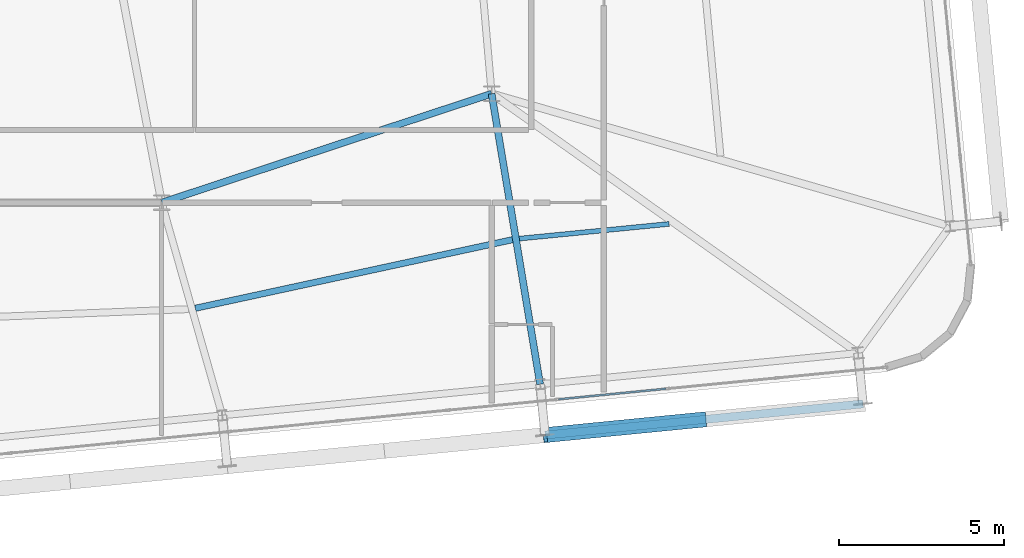
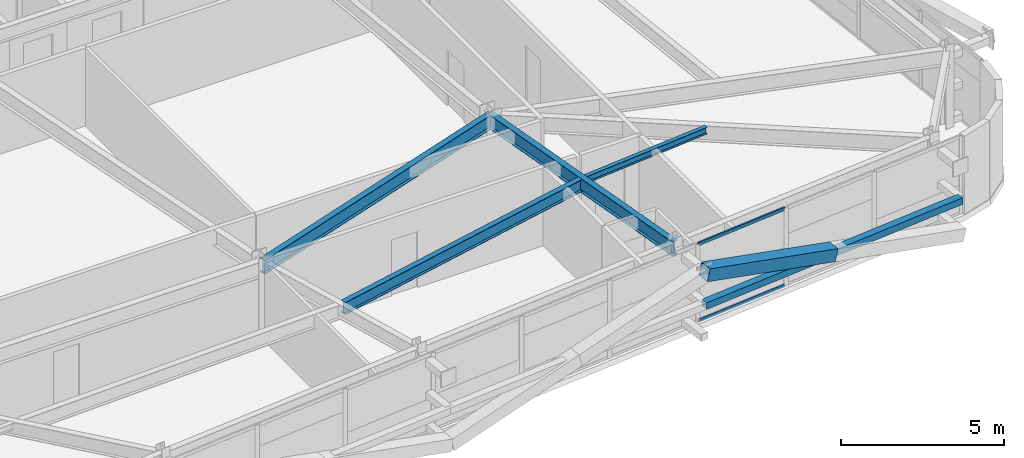
# One storey, part 19 of 53: 4 beams, 4 members, 1 element without a shape of its own.
"""IFC4 building model written with IfcOpenShell, lengths in metres."""

from ifc_helpers import new_model, si_unit, direction, frame, origin, origin_2d, place, context, subcontext, project, spatial, hollow_rectangle, i_section, extrude, source, transform, mapped, material, layer, layer_set, material_profile, profile_set, type_object, element, aggregate, save


model = new_model("IFC4")

# Units and contexts
model_context = context("Model", 3, precision=1e-05, world=origin(), true_north=direction((0.0, 1.0)))
body_context = subcontext(model_context, "Body", "Model", "MODEL_VIEW")
ifc_project = project(units=[si_unit("LENGTHUNIT", "METRE"), si_unit("AREAUNIT", "SQUARE_METRE"), si_unit("VOLUMEUNIT", "CUBIC_METRE"), si_unit("PLANEANGLEUNIT", "RADIAN"), si_unit("MASSUNIT", "GRAM", prefix="KILO")], contexts=[model_context])

# Site, building, storey
site_placement = place(None, origin())
site = spatial("IfcSite", under=ifc_project, at=site_placement, CompositionType="ELEMENT")
building_placement = place(site_placement, origin())
building = spatial("IfcBuilding", under=site, at=building_placement, Name="Taldren Reach Tower", CompositionType="ELEMENT")
storey_placement = place(building_placement, frame((0.0, 0.0, 84.0)))
storey = spatial("IfcBuildingStorey", under=building, at=storey_placement, Name="L25", CompositionType="ELEMENT", Elevation=84.0)

# Beams
ifc_material_1 = material(Name="Steel Gr 350 (350PLUS)", Category="steel")
ifc_material_profile_1 = material_profile(ifc_material_1, i_section(OverallWidth=0.208984375, OverallDepth=0.532958984375, WebThickness=0.01025390625, FlangeThickness=0.015625, at=origin_2d()), Name="530UB92.4")
ifc_profile_set_1 = profile_set([ifc_material_profile_1], Name="Steel Gr 350 (350PLUS)")
beam_type_1 = type_object("IfcBeamType", Name="BM-UB530A", PredefinedType="BEAM", material=ifc_profile_set_1)
shared_shape_1 = source(origin(), body_context, "Body", "SweptSolid", [
    extrude(i_section(OverallWidth=0.208984375, OverallDepth=0.532958984375, WebThickness=0.01025390625, FlangeThickness=0.015625, at=origin_2d()), origin(), (0.0, 0.0, 1.0), 10.530517578125),
])
beam_1_placement = place(storey_placement, frame((42.0, 9.199951171875, 2.66357421875), z_axis=(0.949627269203, 0.313381635689, 0.0), x_axis=(-0.313381635689, 0.949627269203, 0.0)))
element("IfcBeam", 1, at=beam_1_placement, inside=storey, type_object=beam_type_1, Name="Core-spine girder L25-SP12", PredefinedType="BEAM", context=body_context, shape_type="MappedRepresentation", body=[
    mapped(shared_shape_1, transform((0.0, 0.0, 0.0), scale=1.0)),
])
shared_shape_2 = source(origin(), body_context, "Body", "SweptSolid", [
    extrude(i_section(OverallWidth=0.208984375, OverallDepth=0.532958984375, WebThickness=0.01025390625, FlangeThickness=0.015625, at=origin_2d()), origin(), (0.0, 0.0, 1.0), 8.92333984375),
])
beam_2_placement = place(storey_placement, frame((52.0, 12.5, 2.66357421875), z_axis=(0.164678494096, -0.986347298664, 0.0), x_axis=(0.986347298664, 0.164678494096, 0.0)))
element("IfcBeam", 2, at=beam_2_placement, inside=storey, type_object=beam_type_1, Name="Primary floor girder B2-S5 L25", PredefinedType="BEAM", context=body_context, shape_type="MappedRepresentation", body=[
    mapped(shared_shape_2, transform((0.0, 0.0, 0.0), scale=1.0)),
])
ifc_material_profile_2 = material_profile(ifc_material_1, i_section(OverallWidth=0.19091796875, OverallDepth=0.4599609375, WebThickness=0.010009765625, FlangeThickness=0.01611328125, at=origin_2d()), Name="460UB82.1")
ifc_profile_set_2 = profile_set([ifc_material_profile_2], Name="Steel Gr 350 (350PLUS)")
beam_type_2 = type_object("IfcBeamType", Name="BM-UB460A", PredefinedType="BEAM", material=ifc_profile_set_2)
shared_shape_3 = source(origin(), body_context, "Body", "SweptSolid", [
    extrude(i_section(OverallWidth=0.19091796875, OverallDepth=0.4599609375, WebThickness=0.010009765625, FlangeThickness=0.01611328125, at=origin_2d()), origin(), (0.0, 0.0, 1.0), 9.83447265625),
])
beam_3_placement = place(storey_placement, frame((43.02001953125, 5.9990234375, 2.699951171875), z_axis=(0.977418600156, 0.211312280924, 0.0), x_axis=(-0.211312280924, 0.977418600156, 0.0)))
element("IfcBeam", 3, at=beam_3_placement, inside=storey, type_object=beam_type_2, Name="Secondary floor beam B2 J4 L25", PredefinedType="BEAM", context=body_context, shape_type="MappedRepresentation", body=[
    mapped(shared_shape_3, transform((0.0, 0.0, 0.0), scale=1.0)),
])
ifc_material_2 = material(Name="Steel Gr 300 (300PLUS, 300 MPa)", Category="steel")
ifc_material_profile_3 = material_profile(ifc_material_2, i_section(OverallWidth=0.14599609375, OverallDepth=0.256103515625, WebThickness=0.00634765625, FlangeThickness=0.010986328125, at=origin_2d()), Name="250UB37.3")
ifc_profile_set_3 = profile_set([ifc_material_profile_3], Name="Steel Gr 300 (300PLUS, 300 MPa)")
beam_type_3 = type_object("IfcBeamType", Name="JS-UB250", PredefinedType="JOIST", material=ifc_profile_set_3)
shared_shape_4 = source(origin(), body_context, "Body", "SweptSolid", [
    extrude(i_section(OverallWidth=0.14599609375, OverallDepth=0.256103515625, WebThickness=0.00634765625, FlangeThickness=0.010986328125, at=origin_2d()), origin(), (0.0, 0.0, 1.0), 4.56103515625),
])
beam_4_placement = place(storey_placement, frame((52.8388671875, 8.109375, 2.802001953125), z_axis=(0.995227709746, 0.097579740487, 0.0), x_axis=(-0.097579740487, 0.995227709746, 0.0)))
element("IfcBeam", 4, at=beam_4_placement, inside=storey, type_object=beam_type_3, Name="Secondary floor joist B2 J5 L25", PredefinedType="JOIST", context=body_context, shape_type="MappedRepresentation", body=[
    mapped(shared_shape_4, transform((0.0, 0.0, 0.0), scale=1.0)),
])

# Members
ifc_material_3 = material(Name="Steel Gr 450 (C450L0)", Category="steel")
ifc_material_profile_4 = material_profile(ifc_material_3, hollow_rectangle(XDim=0.4599609375, YDim=0.4599609375, WallThickness=0.01611328125, at=origin_2d()), Name="460x460x16.0SHS")
ifc_profile_set_4 = profile_set([ifc_material_profile_4], Name="Steel Gr 450 (C450L0)")
member_type_1 = type_object("IfcMemberType", Name="MB-EXO457", PredefinedType="BRACE", material=ifc_profile_set_4)
shared_shape_5 = source(origin(), body_context, "Body", "SweptSolid", [
    extrude(hollow_rectangle(XDim=0.4599609375, YDim=0.4599609375, WallThickness=0.01611328125, at=origin_2d()), origin(), (0.0, 0.0, 1.0), 4.990234375),
])
member_1_placement = place(storey_placement, frame((58.4375, 2.628173828125, 1.43505859375), z_axis=(-0.965287024526, -0.094620633828, 0.24344998652), x_axis=(0.097555749586, -0.995230061706, 0.0)))
element("IfcMember", 5, at=member_1_placement, inside=storey, type_object=member_type_1, Name="Exoskeleton Diagrid Brace B2-S5 L25", PredefinedType="BRACE", context=body_context, shape_type="MappedRepresentation", body=[
    mapped(shared_shape_5, transform((0.0, 0.0, 0.0), scale=1.0)),
])
ifc_material_4 = material(Name="Steel Gr 350 (C350L0)", Category="steel")
ifc_material_profile_5 = material_profile(ifc_material_4, hollow_rectangle(XDim=0.25, YDim=0.25, WallThickness=0.010009765625, at=origin_2d()), Name="250x250x10.0SHS")
ifc_profile_set_5 = profile_set([ifc_material_profile_5], Name="Steel Gr 350 (C350L0)")
member_type_2 = type_object("IfcMemberType", Name="MB-POST250", PredefinedType="POST", material=ifc_profile_set_5)
shared_shape_6 = source(origin(), body_context, "Body", "SweptSolid", [
    extrude(hollow_rectangle(XDim=0.25, YDim=0.25, WallThickness=0.010009765625, at=origin_2d()), origin(), (0.0, 0.0, 1.0), 9.679931640625),
])
member_2_placement = place(storey_placement, frame((53.62060546875, 2.156005859375, 1.43505859375), z_axis=(0.995227612658, 0.097580730699, 0.0), x_axis=(-0.097580730699, 0.995227612658, 0.0)))
element("IfcMember", 6, at=member_2_placement, inside=storey, type_object=member_type_2, Name="Exoskeleton mid-height ring chord B2-S5 L25", PredefinedType="POST", context=body_context, shape_type="MappedRepresentation", body=[
    mapped(shared_shape_6, transform((0.0, 0.0, 0.0), scale=1.0)),
])

# Curtain wall, members
ifc_material_5 = material(Name="Aluminium and Low-E Glass Unitised System", Category="aluminium")
ifc_layer = layer(ifc_material_5, 0.159912109375)
ifc_layer_set = layer_set([ifc_layer], Name="Aluminium and Low-E Glass Unitised System")
curtain_wall_type = type_object("IfcCurtainWallType", Name="CW-SYS-3", PredefinedType="NOTDEFINED", material=ifc_layer_set)
curtain_wall_placement = place(storey_placement, origin())
curtain_wall = element("IfcCurtainWall", 7, at=curtain_wall_placement, inside=storey, type_object=curtain_wall_type, Name="Unitised curtain wall CW-L25-S", PredefinedType="NOTDEFINED")
ifc_material_6 = material(Name="Anodised Aluminium 6063-T6", Category="aluminium")
ifc_material_profile_6 = material_profile(ifc_material_6, hollow_rectangle(XDim=0.054931640625, YDim=0.1201171875, WallThickness=0.0029296875, at=origin_2d()), Name="ALU-120x55x3RHS")
ifc_profile_set_6 = profile_set([ifc_material_profile_6], Name="Anodised Aluminium 6063-T6")
member_type_3 = type_object("IfcMemberType", Name="CW-TRN-135", PredefinedType="USERDEFINED", material=ifc_profile_set_6)
shared_shape_7 = source(origin(), body_context, "Body", "SweptSolid", [
    extrude(hollow_rectangle(XDim=0.054931640625, YDim=0.1201171875, WallThickness=0.0029296875, at=origin_2d()), origin(), (0.0, 0.0, 1.0), 3.268310546875),
])
member_3_placement = place(storey_placement, frame((54.029296875, 3.240966796875, 0.027587890625), z_axis=(0.99522980512, 0.097558367146, 0.0), x_axis=(-0.097558367146, 0.99522980512, 0.0)))
member_3 = element("IfcMember", 8, at=member_3_placement, type_object=member_type_3, Name="CW-3 transom 13.1", ObjectType="TRANSOM", PredefinedType="USERDEFINED", context=body_context, shape_type="MappedRepresentation", body=[
    mapped(shared_shape_7, transform((0.0, 0.0, 0.0), scale=1.0)),
])
member_4_placement = place(storey_placement, frame((54.029296875, 3.240966796875, 2.902587890625), z_axis=(0.99522980512, 0.097558367146, 0.0), x_axis=(-0.097558367146, 0.99522980512, 0.0)))
member_4 = element("IfcMember", 9, at=member_4_placement, type_object=member_type_3, Name="CW-3 transom 13.2", ObjectType="TRANSOM", PredefinedType="USERDEFINED", context=body_context, shape_type="MappedRepresentation", body=[
    mapped(shared_shape_7, transform((0.0, 0.0, 0.0), scale=1.0)),
])
aggregate(curtain_wall, [member_3, member_4])

save(model, "model.ifc")
